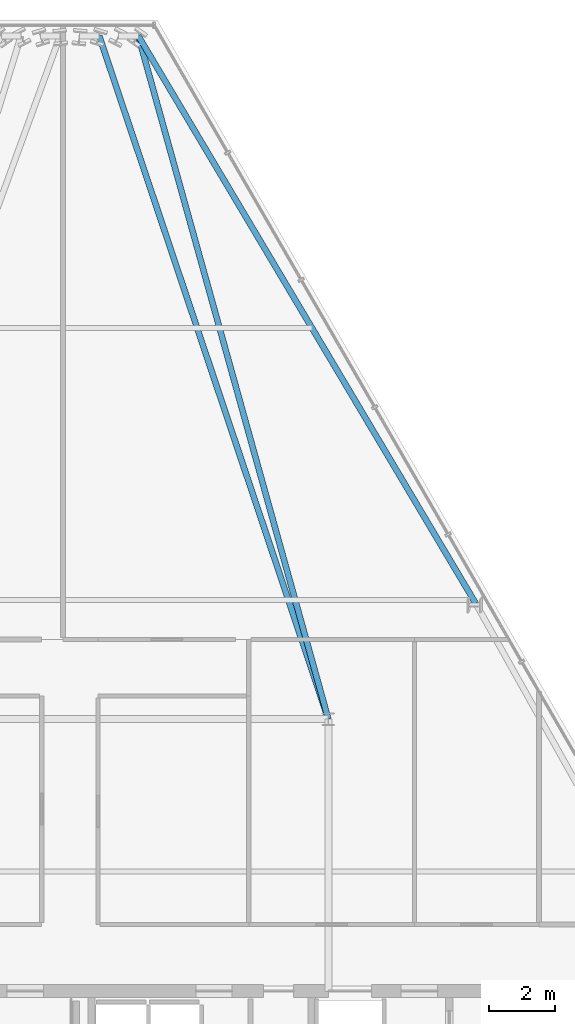
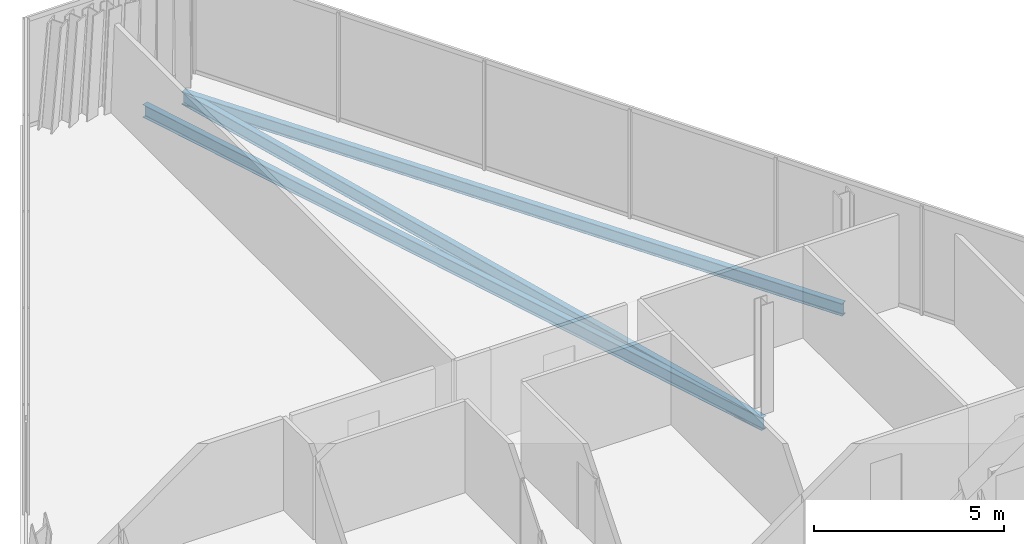
# One storey, part 20 of 35: 3 beams.
"""IFC4 building model written with IfcOpenShell, lengths in metres."""

import ifcopenshell
import ifcopenshell.guid

model = None  # the IFC model being written
_history = None  # IfcOwnerHistory: only IFC2X3 demands one
_inside = {}  # id of a spatial element -> (the spatial element, [elements in it])
_under = {}  # id of a project, library or spatial element -> (it, [spatial elements below it])
_declared = {}  # id of a project -> (the project, [libraries it declares])
_typed = {}  # id of a type object -> (the type object, [elements of that type])
_made_of = {}  # id of a material, layer set ... -> (it, [elements and type objects made of it])


def new_model(schema):
    """Start an empty IFC model of exactly this schema.

    Asked for "IFC4X3", IfcOpenShell would pick the latest addendum, in which some entities
    have other attributes; the version numbers below select the first issue.
    IFC2X3 requires an IfcOwnerHistory on every rooted entity: one is made here for all.
    """
    global model, _history
    if schema == "IFC4X3":
        model = ifcopenshell.file(schema_version=(4, 3, 0, 0))
    else:
        model = ifcopenshell.file(schema=schema)
    _inside.clear()
    _under.clear()
    _declared.clear()
    _typed.clear()
    _made_of.clear()
    _history = None
    if model.schema == "IFC2X3":
        org = make("IfcOrganization", Name="unknown")
        user = make(
            "IfcPersonAndOrganization",
            ThePerson=make("IfcPerson", FamilyName="unknown"),
            TheOrganization=org,
        )
        app = make(
            "IfcApplication",
            ApplicationDeveloper=org,
            Version="unknown",
            ApplicationFullName="unknown",
            ApplicationIdentifier="unknown",
        )
        _history = make(
            "IfcOwnerHistory",
            OwningUser=user,
            OwningApplication=app,
            ChangeAction="ADDED",
            CreationDate=0,
        )
    return model


def make(cls, **values):
    """One entity of the class cls with the attributes given. An attribute that is None is left unset."""
    return model.create_entity(
        cls, **{name: value for name, value in values.items() if value is not None}
    )


def rooted(cls, **values):
    """An entity with a GlobalId (a new one), such as an element, a storey or a relation."""
    return make(cls, GlobalId=ifcopenshell.guid.new(), OwnerHistory=_history, **values)


def si_unit(unit_type, name, prefix=None):
    """IfcSIUnit, for example si_unit("LENGTHUNIT", "METRE", prefix="MILLI")."""
    return make("IfcSIUnit", UnitType=unit_type, Prefix=prefix, Name=name)


def assignment(units):
    """IfcUnitAssignment: the units of a project."""
    return None if units is None else make("IfcUnitAssignment", Units=units)


def point(xyz):
    """IfcCartesianPoint."""
    return None if xyz is None else make("IfcCartesianPoint", Coordinates=xyz)


def direction(xyz):
    """IfcDirection."""
    return None if xyz is None else make("IfcDirection", DirectionRatios=xyz)


def frame(location, z_axis=None, x_axis=None):
    """IfcAxis2Placement3D, a coordinate frame: its origin and axes. An axis left out is left unset."""
    return make(
        "IfcAxis2Placement3D",
        Location=point(location),
        Axis=direction(z_axis),
        RefDirection=direction(x_axis),
    )


def frame_2d(location, x_axis=None):
    """IfcAxis2Placement2D, a coordinate frame in the plane: its origin and x axis."""
    return make(
        "IfcAxis2Placement2D", Location=point(location), RefDirection=direction(x_axis)
    )


def origin():
    """The frame at (0, 0, 0) with its axes left unset."""
    return frame((0.0, 0.0, 0.0))


def origin_2d():
    """The frame at (0, 0) in the plane with its x axis left unset."""
    return frame_2d((0.0, 0.0))


def place(relative_to, where):
    """IfcLocalPlacement: puts the frame where relative to a parent placement (None: the world)."""
    return make(
        "IfcLocalPlacement", PlacementRelTo=relative_to, RelativePlacement=where
    )


def context(
    kind, dimensions, precision=None, world=None, true_north=None, identifier=None
):
    """IfcGeometricRepresentationContext, for example the 3D "Model" context."""
    return make(
        "IfcGeometricRepresentationContext",
        ContextIdentifier=identifier,
        ContextType=kind,
        CoordinateSpaceDimension=dimensions,
        Precision=precision,
        WorldCoordinateSystem=world,
        TrueNorth=true_north,
    )


def subcontext(parent, identifier, kind, view, scale=None):
    """IfcGeometricRepresentationSubContext, for example "Body" below "Model"."""
    return make(
        "IfcGeometricRepresentationSubContext",
        ContextIdentifier=identifier,
        ContextType=kind,
        ParentContext=parent,
        TargetScale=scale,
        TargetView=view,
    )


def project(units=None, contexts=None):
    """IfcProject with its units and contexts."""
    return rooted(
        "IfcProject",
        Name="project",
        RepresentationContexts=contexts,
        UnitsInContext=assignment(units),
    )


def spatial(cls, under=None, at=None, **own):
    """A site, building, storey or space (cls), placed at a placement, below another one or the project."""
    s = rooted(cls, ObjectPlacement=at, **own)
    if under is not None:
        _under.setdefault(under.id(), (under, []))[1].append(s)
    return s


def profile(cls, at=None, kind="AREA", **sizes):
    """A parametric profile (cls). Its sizes go by their IFC names, for example OverallWidth=200.0."""
    return make(cls, ProfileType=kind, Position=at, **sizes)


def i_section(**sizes):
    """IfcIShapeProfileDef."""
    return profile("IfcIShapeProfileDef", **sizes)


def extrude(swept, where, along, depth):
    """IfcExtrudedAreaSolid: the profile swept, set in the frame where, extruded along a direction by depth."""
    return make(
        "IfcExtrudedAreaSolid",
        SweptArea=swept,
        Position=where,
        ExtrudedDirection=direction(along),
        Depth=depth,
    )


def shape(context_of_items, identifier, shape_type, items):
    """IfcShapeRepresentation: the items that make up one representation, for example the "Body"."""
    return make(
        "IfcShapeRepresentation",
        ContextOfItems=context_of_items,
        RepresentationIdentifier=identifier,
        RepresentationType=shape_type,
        Items=items,
    )


def material(Name=None, Category=None):
    """IfcMaterial."""
    return make("IfcMaterial", Name=Name, Category=Category)


def material_profile(
    of_material, cross_section, Name=None, Category=None, Priority=None
):
    """IfcMaterialProfile: a cross section and its material."""
    return make(
        "IfcMaterialProfile",
        Name=Name,
        Material=of_material,
        Profile=cross_section,
        Priority=Priority,
        Category=Category,
    )


def profile_set(profiles, Name=None, composite=None):
    """IfcMaterialProfileSet."""
    return make(
        "IfcMaterialProfileSet",
        Name=Name,
        MaterialProfiles=profiles,
        CompositeProfile=composite,
    )


def made_of(thing, what):
    """Note that an element or type object is made of a material, layer set ...; save() writes the relation."""
    if what is not None:
        _made_of.setdefault(what.id(), (what, []))[1].append(thing)
    return thing


def type_object(cls, material=None, **own):
    """A type object (cls), such as IfcWallType, which elements share."""
    return made_of(rooted(cls, **own), material)


def element(
    cls,
    number,
    at=None,
    inside=None,
    cuts=None,
    type_object=None,
    material=None,
    context=None,
    identifier="Body",
    shape_type=None,
    held_by="IfcProductDefinitionShape",
    body=None,
    shapes=None,
    **own,
):
    """One element of the class cls, such as IfcWall. Its Tag is "e" and its number.

    at: its placement. inside: the storey or other place that contains it. cuts: it is an
    opening in that element (IfcRelVoidsElement). A single representation is given by context,
    identifier, shape_type and body (its items); several are given by shapes. held_by: the class
    of the entity that holds the representations. save() writes the other relations.
    """
    e = rooted(cls, Tag="e%d" % number, ObjectPlacement=at, **own)
    if body is not None:
        shapes = [shape(context, identifier, shape_type, body)]
    if shapes is not None:
        e.Representation = make(held_by, Representations=shapes)
    if inside is not None:
        _inside.setdefault(inside.id(), (inside, []))[1].append(e)
    if cuts is not None:
        rooted(
            "IfcRelVoidsElement", RelatingBuildingElement=cuts, RelatedOpeningElement=e
        )
    if type_object is not None:
        _typed.setdefault(type_object.id(), (type_object, []))[1].append(e)
    return made_of(e, material)


def aggregate(whole, parts):
    """IfcRelAggregates: a whole, such as a stair, and the parts it consists of."""
    return rooted("IfcRelAggregates", RelatingObject=whole, RelatedObjects=parts)


def save(model, path):
    """Write the relations noted so far, then the file.

    IfcRelAggregates (storeys below a building ...), IfcRelContainedInSpatialStructure (elements
    in a storey), IfcRelDefinesByType, IfcRelAssociatesMaterial and IfcRelDeclares: one each for
    every whole, place, type object, material and project.
    """
    for whole, parts in _under.values():
        aggregate(whole, parts)
    for where, things in _inside.values():
        rooted(
            "IfcRelContainedInSpatialStructure",
            RelatedElements=things,
            RelatingStructure=where,
        )
    for kind, things in _typed.values():
        rooted("IfcRelDefinesByType", RelatedObjects=things, RelatingType=kind)
    for what, things in _made_of.values():
        rooted("IfcRelAssociatesMaterial", RelatedObjects=things, RelatingMaterial=what)
    for by, libraries in _declared.values():
        rooted("IfcRelDeclares", RelatingContext=by, RelatedDefinitions=libraries)
    model.write(path)


model = new_model("IFC4")

# Units and contexts
model_context = context("Model", 3, precision=1e-05, world=origin(), true_north=direction((0.0, 1.0)))
body_context = subcontext(model_context, "Body", "Model", "MODEL_VIEW")
ifc_project = project(units=[si_unit("LENGTHUNIT", "METRE"), si_unit("AREAUNIT", "SQUARE_METRE"), si_unit("VOLUMEUNIT", "CUBIC_METRE"), si_unit("PLANEANGLEUNIT", "RADIAN"), si_unit("MASSUNIT", "GRAM", prefix="KILO")], contexts=[model_context])

# Site, building, storey
site_placement = place(None, origin())
site = spatial("IfcSite", under=ifc_project, at=site_placement, CompositionType="ELEMENT")
building_placement = place(site_placement, origin())
building = spatial("IfcBuilding", under=site, at=building_placement, Name="Ndaravel Arena Tower", CompositionType="ELEMENT")
storey_placement = place(building_placement, frame((0.0, 0.0, 275.0)))
storey = spatial("IfcBuildingStorey", under=building, at=storey_placement, Name="L67", CompositionType="ELEMENT", Elevation=275.0)

# Beams
ifc_material_1 = material(Name="Steel S355", Category="steel")
ifc_material_profile_1 = material_profile(ifc_material_1, i_section(OverallWidth=0.1787109375, OverallDepth=0.409423828125, WebThickness=0.0087890625, FlangeThickness=0.014404296875, FilletRadius=0.01025390625, at=origin_2d()), Name="UB 406x178x67")
ifc_profile_set_1 = profile_set([ifc_material_profile_1], Name="Steel S355")
beam_type_1 = type_object("IfcBeamType", Name="BM-GIRD-UB406", PredefinedType="BEAM", material=ifc_profile_set_1)
beam_1_placement = place(storey_placement, frame((44.065185546875, 43.818115234375, -0.4248046875), z_axis=(0.267973339228, -0.963426327989, 0.0), x_axis=(0.963426327989, 0.267973339228, 0.0)))
element("IfcBeam", 1, at=beam_1_placement, inside=storey, type_object=beam_type_1, Name="L67 Radial Floor Girder FG-11", PredefinedType="BEAM", context=body_context, shape_type="SweptSolid", body=[
    extrude(i_section(OverallWidth=0.1787109375, OverallDepth=0.409423828125, WebThickness=0.0087890625, FlangeThickness=0.014404296875, FilletRadius=0.01025390625, at=origin_2d()), origin(), (0.0, 0.0, 1.0), 21.40087890625),
])
beam_2_placement = place(storey_placement, frame((42.885009765625, 43.818115234375, -0.4248046875), z_axis=(0.317978556604, -0.948097905039, 0.0), x_axis=(0.948097905039, 0.317978556604, 0.0)))
element("IfcBeam", 2, at=beam_2_placement, inside=storey, type_object=beam_type_1, Name="L67 Radial Floor Girder FG-13", PredefinedType="BEAM", context=body_context, shape_type="SweptSolid", body=[
    extrude(i_section(OverallWidth=0.1787109375, OverallDepth=0.409423828125, WebThickness=0.0087890625, FlangeThickness=0.014404296875, FilletRadius=0.01025390625, at=origin_2d()), origin(), (0.0, 0.0, 1.0), 21.746826171875),
])
ifc_material_2 = material(Name="Steel S355", Category="steel")
ifc_material_profile_2 = material_profile(ifc_material_2, i_section(OverallWidth=0.179931640625, OverallDepth=0.39990234375, WebThickness=0.008544921875, FlangeThickness=0.013427734375, FilletRadius=0.02099609375, at=origin_2d()), Name="IPE 400")
ifc_profile_set_2 = profile_set([ifc_material_profile_2], Name="Steel S355")
beam_type_2 = type_object("IfcBeamType", Name="BM-SPAN-IPE400", PredefinedType="SPANDREL", material=ifc_profile_set_2)
beam_3_placement = place(storey_placement, frame((54.247314453125, 26.69287109375, -0.419921875), z_axis=(-0.511058754537, 0.85954578087, 0.0), x_axis=(-0.85954578087, -0.511058754537, 0.0)))
element("IfcBeam", 3, at=beam_3_placement, inside=storey, type_object=beam_type_2, Name="L67 Perimeter Spandrel Beam SP-10", PredefinedType="SPANDREL", context=body_context, shape_type="SweptSolid", body=[
    extrude(i_section(OverallWidth=0.179931640625, OverallDepth=0.39990234375, WebThickness=0.008544921875, FlangeThickness=0.013427734375, FilletRadius=0.02099609375, at=origin_2d()), origin(), (0.0, 0.0, 1.0), 19.923583984375),
])

save(model, "model.ifc")
